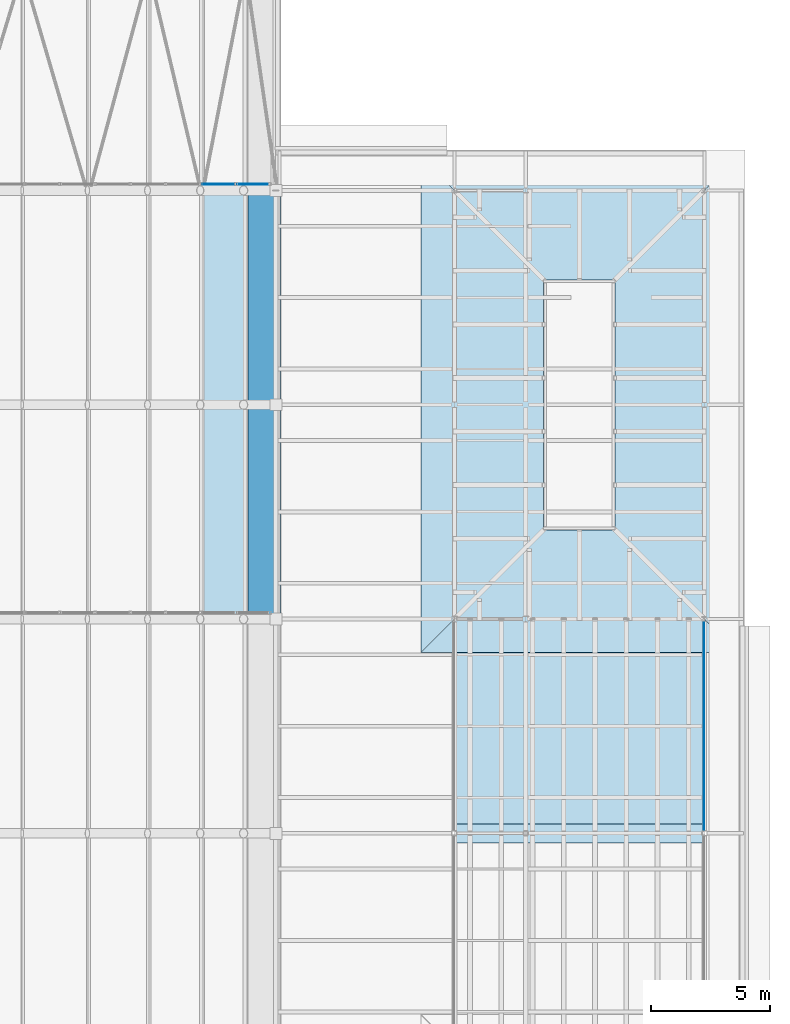
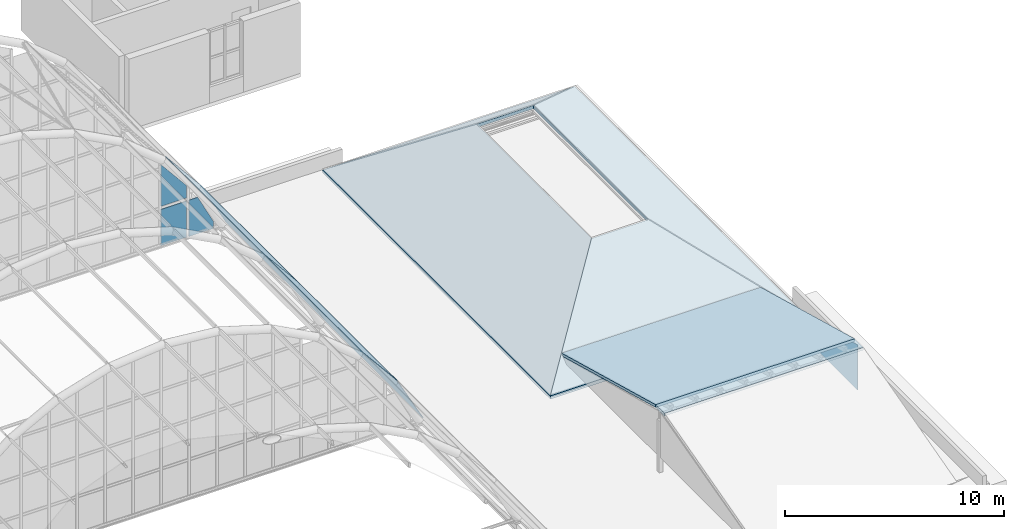
# One storey, part 80 of 121: 8 plates, 6 slabs, 1 element without a shape of its own.
"""IFC4 building model written with IfcOpenShell, lengths in metres."""

from ifc_helpers import new_model, si_unit, direction, frame, origin, place, context, subcontext, project, spatial, polyline, outline, extrude, material, layer, layer_set, type_object, element, aggregate, save


model = new_model("IFC4")

# Units and contexts
model_context = context("Model", 3, precision=1e-05, world=origin(), true_north=direction((0.0, 1.0)))
body_context = subcontext(model_context, "Body", "Model", "MODEL_VIEW")
ifc_project = project(units=[si_unit("LENGTHUNIT", "METRE"), si_unit("AREAUNIT", "SQUARE_METRE"), si_unit("VOLUMEUNIT", "CUBIC_METRE"), si_unit("PLANEANGLEUNIT", "RADIAN"), si_unit("MASSUNIT", "GRAM", prefix="KILO")], contexts=[model_context])

# Site, building, storey
site_placement = place(None, origin())
site = spatial("IfcSite", under=ifc_project, at=site_placement, CompositionType="ELEMENT")
building_placement = place(site_placement, origin())
building = spatial("IfcBuilding", under=site, at=building_placement, Name="Golden Quay Civic Hall", CompositionType="ELEMENT")
storey_placement = place(building_placement, frame((0.0, 0.0, 18.60009765625)))
storey = spatial("IfcBuildingStorey", under=building, at=storey_placement, Name="L04", CompositionType="ELEMENT", Elevation=18.60009765625)

# Slabs
ifc_material_1 = material(Name="Concrete C35/45", Category="concrete")
ifc_layer_1 = layer(ifc_material_1, 0.14990234375)
ifc_layer_set_1 = layer_set([ifc_layer_1], Name="Concrete roof deck 150, Concrete C35/45")
slab_type = type_object("IfcSlabType", Name="Concrete roof deck 150", PredefinedType="ROOF", material=ifc_layer_set_1)
slab_1_placement = place(storey_placement, frame((105.10009765625, 34.60009765625, 0.18994140625), z_axis=(0.0, -0.600012135945, 0.799990897897), x_axis=(1.0, 0.0, 0.0)))
element("IfcSlab", 1, at=slab_1_placement, inside=storey, type_object=slab_type, Name="Roof deck EM-N south", PredefinedType="ROOF", context=body_context, shape_type="SweptSolid", body=[
    extrude(outline(polyline([(0.0, 0.0), (13.2998046875, 0.0), (8.14990234375, 6.437451172615724), (5.14990234375, 6.437451172615724), (0.0, 0.0)])), origin(), (0.0, -0.600012135945, -0.799990897897), 0.1875),
])
slab_2_placement = place(storey_placement, frame((105.10009765625, 55.39990234375, 0.18994140625), z_axis=(0.0, 0.600012135945, 0.799990897897), x_axis=(1.0, 0.0, 0.0)))
element("IfcSlab", 2, at=slab_2_placement, inside=storey, type_object=slab_type, Name="Roof deck EM-N north", PredefinedType="ROOF", context=body_context, shape_type="SweptSolid", body=[
    extrude(outline(polyline([(0.0, 0.0), (13.2998046875, 0.0), (8.14990234375, -6.437451172615724), (5.14990234375, -6.437451172615724), (0.0, 0.0)])), origin(), (0.0, 0.600012135945, -0.799990897897), 0.1875),
])
slab_3_placement = place(storey_placement, frame((105.10009765625, 34.60009765625, 0.18994140625), z_axis=(-0.600012135945, 0.0, 0.799990897897), x_axis=(0.0, 1.0, 0.0)))
element("IfcSlab", 3, at=slab_3_placement, inside=storey, type_object=slab_type, Name="Roof deck EM-N west", PredefinedType="ROOF", context=body_context, shape_type="SweptSolid", body=[
    extrude(outline(polyline([(0.0, 0.0), (20.7998046875, 0.0), (15.64990234375, -6.437451172615724), (5.14990234375, -6.437451172615724), (0.0, 0.0)])), origin(), (0.0, 0.600012135945, -0.799990897897), 0.1875),
])
slab_4_placement = place(storey_placement, frame((118.39990234375, 34.60009765625, 0.18994140625), z_axis=(0.600012135945, 0.0, 0.799990897897), x_axis=(0.0, 1.0, 0.0)))
element("IfcSlab", 4, at=slab_4_placement, inside=storey, type_object=slab_type, Name="Roof deck EM-N east", PredefinedType="ROOF", context=body_context, shape_type="SweptSolid", body=[
    extrude(outline(polyline([(0.0, 0.0), (20.7998046875, 0.0), (15.64990234375, 6.437451172615724), (5.14990234375, 6.437451172615724), (0.0, 0.0)])), origin(), (0.0, -0.600012135945, -0.799990897897), 0.1875),
])
slab_5_placement = place(storey_placement, frame((106.5, 27.39990234375, 3.57861328125), z_axis=(0.0, 0.262171514748, 0.965021293472), x_axis=(1.0, 0.0, 0.0)))
element("IfcSlab", 5, at=slab_5_placement, inside=storey, type_object=slab_type, Name="Roof deck gable north", PredefinedType="ROOF", context=body_context, shape_type="SweptSolid", body=[
    extrude(outline(polyline([(0.0, 0.0), (10.5, 0.0), (10.5, 8.91182165038812), (0.0, 8.91182165038812), (0.0, 0.0)])), origin(), (0.0, 0.262171514748, -0.965021293472), 0.155517578125),
])
slab_6_placement = place(storey_placement, frame((0.0, 0.0, 3.428466796875)))
element("IfcSlab", 6, at=slab_6_placement, inside=storey, type_object=slab_type, Name="Roof deck gable ridge", PredefinedType="ROOF", context=body_context, shape_type="SweptSolid", body=[
    extrude(outline(polyline([(106.5, 26.60009765625), (117.0, 26.60009765625), (117.0, 27.39990234375), (106.5, 27.39990234375), (106.5, 26.60009765625)])), origin(), (0.0, 0.0, 1.0), 0.150146484375),
])

# Curtain wall, plates
ifc_material_2 = material(Name="Fire-resisting glass and steel", Category="steel")
curtain_wall_type = type_object("IfcCurtainWallType", Name="Fire-resisting glazed curtain wall EI 120", PredefinedType="NOTDEFINED", material=ifc_material_2)
curtain_wall_placement = place(storey_placement, origin())
curtain_wall = element("IfcCurtainWall", 7, at=curtain_wall_placement, inside=storey, type_object=curtain_wall_type, Name="Curtain wall tympanum fire3", PredefinedType="NOTDEFINED")
ifc_material_3 = material(Name="Fire-resisting laminated glass", Category="glass")
ifc_layer_2 = layer(ifc_material_3, 0.0400390625)
ifc_layer_set_2 = layer_set([ifc_layer_2], Name="Fire-resisting glazed panel 40")
plate_type_1 = type_object("IfcPlateType", Name="Fire-resisting glazed panel 40", PredefinedType="CURTAIN_PANEL", material=ifc_layer_set_2)
plate_1_placement = place(storey_placement, frame((97.26220703125, 54.2900390625, -0.130126953125), z_axis=(0.0, 1.0, 0.0), x_axis=(-1.0, 0.0, 0.0)))
plate_1 = element("IfcPlate", 8, at=plate_1_placement, type_object=plate_type_1, Name="Tympanum glass 17.1", PredefinedType="CURTAIN_PANEL", context=body_context, shape_type="SweptSolid", body=[
    extrude(outline(polyline([(0.0, 0.0), (1.357666015625, 0.0), (1.357666015625, 2.02001953125), (0.0, 2.02001953125), (0.0, 0.0)])), origin(), (0.0, 0.0, -1.0), 0.0400390625),
])
plate_2_placement = place(storey_placement, frame((97.26220703125, 54.2900390625, 2.06982421875), z_axis=(0.0, 1.0, 0.0), x_axis=(-1.0, 0.0, 0.0)))
plate_2 = element("IfcPlate", 9, at=plate_2_placement, type_object=plate_type_1, Name="Tympanum glass 17.2", PredefinedType="CURTAIN_PANEL", context=body_context, shape_type="SweptSolid", body=[
    extrude(outline(polyline([(0.0, 0.0), (1.357666015625, 0.0), (1.357666015625, 2.3271484375), (0.0, 0.677978515625), (0.0, 0.0)])), origin(), (0.0, 0.0, -1.0), 0.0400390625),
])
plate_3_placement = place(storey_placement, frame((98.679931640625, 54.2900390625, -0.130126953125), z_axis=(0.0, 1.0, 0.0), x_axis=(-1.0, 0.0, 0.0)))
plate_3 = element("IfcPlate", 10, at=plate_3_placement, type_object=plate_type_1, Name="Tympanum glass 18.1", PredefinedType="CURTAIN_PANEL", context=body_context, shape_type="SweptSolid", body=[
    extrude(outline(polyline([(0.0, 0.0), (1.297607421875, 0.0), (1.297607421875, 2.02001953125), (0.8349609375, 2.02001953125), (0.0, 0.37646484375), (0.0, 0.0)])), origin(), (0.0, 0.0, -1.0), 0.0400390625),
])
aggregate(curtain_wall, [plate_1, plate_2, plate_3])

# Plates
ifc_material_4 = material(Name="Laminated glass", Category="glass")
ifc_layer_3 = layer(ifc_material_4, 0.030029296875)
ifc_layer_set_3 = layer_set([ifc_layer_3], Name="Laminated roof glazing 30")
plate_type_2 = type_object("IfcPlateType", Name="Laminated roof glazing 30", PredefinedType="SHEET", material=ifc_layer_set_3)
plate_4_placement = place(storey_placement, frame((117.0, 27.10009765625, 0.919921875), z_axis=(1.0, 0.0, 0.0), x_axis=(0.0, 1.0, 0.0)))
element("IfcPlate", 11, at=plate_4_placement, inside=storey, type_object=plate_type_2, Name="Gable end glazing 2 north", PredefinedType="SHEET", context=body_context, shape_type="SweptSolid", body=[
    extrude(outline(polyline([(0.0, 0.0), (8.7998046875, 0.0), (8.7998046875, 0.199462890625), (0.0, 2.508544921875), (0.0, 0.0)])), origin(), (0.0, 0.0, -1.0), 0.030029296875),
])
ifc_material_5 = material(Name="Laminated glass", Category="glass")
ifc_layer_4 = layer(ifc_material_5, 0.030029296875)
ifc_layer_set_4 = layer_set([ifc_layer_4], Name="Laminated vault glazing 30")
plate_type_3 = type_object("IfcPlateType", Name="Laminated vault glazing 30", PredefinedType="SHEET", material=ifc_layer_set_4)
plate_5_placement = place(storey_placement, frame((95.993896484375, 36.0, 4.994140625), z_axis=(0.7720006594, 0.0, 0.635621728614), x_axis=(0.635621728614, 0.0, -0.7720006594)))
element("IfcPlate", 12, at=plate_5_placement, inside=storey, type_object=plate_type_3, Name="Vault glazing 5.11", PredefinedType="SHEET", context=body_context, shape_type="SweptSolid", body=[
    extrude(outline(polyline([(0.0, 0.0), (2.901855520100459, 0.0), (2.901855520100459, 9.0), (0.0, 9.0), (0.0, 0.0)])), origin(), (0.0, 0.0, -1.0), 0.030029296875),
])
plate_6_placement = place(storey_placement, frame((97.841552734375, 36.0, 2.7490234375), z_axis=(0.881024300134, 0.0, 0.47307101219), x_axis=(0.47307101219, 0.0, -0.881024300134)))
element("IfcPlate", 13, at=plate_6_placement, inside=storey, type_object=plate_type_3, Name="Vault glazing 5.12", PredefinedType="SHEET", context=body_context, shape_type="SweptSolid", body=[
    extrude(outline(polyline([(0.0, 0.0), (2.9018956964211977, 0.0), (2.9018956964211977, 9.0), (0.0, 9.0), (0.0, 0.0)])), origin(), (0.0, 0.0, -1.0), 0.030029296875),
])
plate_7_placement = place(storey_placement, frame((95.993896484375, 45.0, 4.994140625), z_axis=(0.7720006594, 0.0, 0.635621728614), x_axis=(0.635621728614, 0.0, -0.7720006594)))
element("IfcPlate", 14, at=plate_7_placement, inside=storey, type_object=plate_type_3, Name="Vault glazing 6.11", PredefinedType="SHEET", context=body_context, shape_type="SweptSolid", body=[
    extrude(outline(polyline([(0.0, 0.0), (2.901855520100459, 0.0), (2.901855520100459, 9.0), (0.0, 9.0), (0.0, 0.0)])), origin(), (0.0, 0.0, -1.0), 0.030029296875),
])
plate_8_placement = place(storey_placement, frame((97.841552734375, 45.0, 2.7490234375), z_axis=(0.881024300134, 0.0, 0.47307101219), x_axis=(0.47307101219, 0.0, -0.881024300134)))
element("IfcPlate", 15, at=plate_8_placement, inside=storey, type_object=plate_type_3, Name="Vault glazing 6.12", PredefinedType="SHEET", context=body_context, shape_type="SweptSolid", body=[
    extrude(outline(polyline([(0.0, 0.0), (2.9018956964211977, 0.0), (2.9018956964211977, 9.0), (0.0, 9.0), (0.0, 0.0)])), origin(), (0.0, 0.0, -1.0), 0.030029296875),
])

save(model, "model.ifc")
